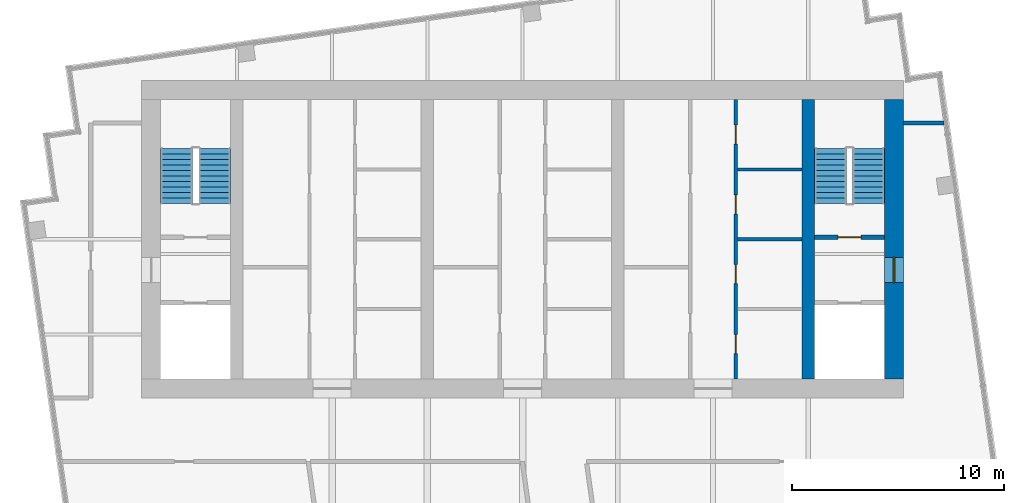
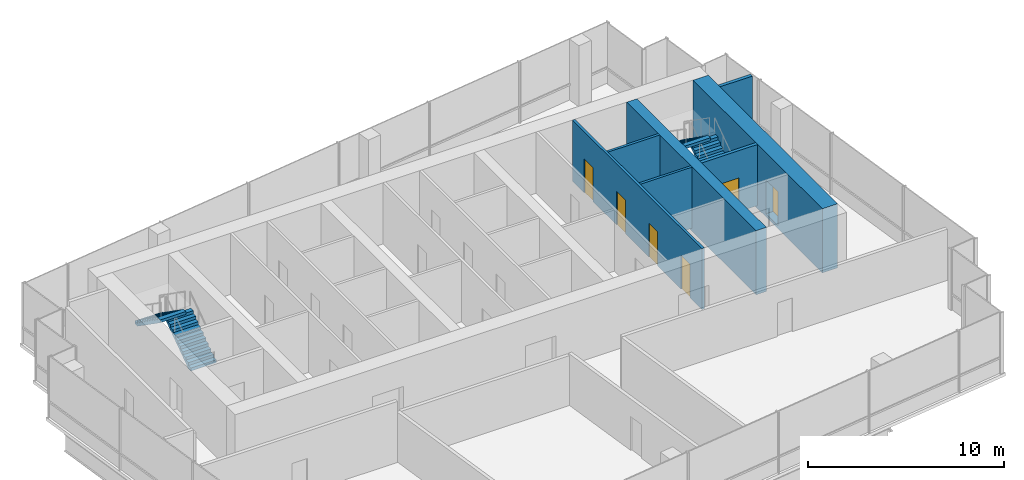
# One storey, part 9 of 10: 7 walls, 6 doors, 4 stair flights, 6 openings, 2 elements without a shape of their own.
"""IFC4 building model written with IfcOpenShell, lengths in metres."""

from ifc_helpers import new_model, si_unit, direction, frame, frame_2d, origin, place, context, subcontext, project, spatial, polyline, rectangle, outline, extrude, material, layer, layer_set, type_object, element, fill, aggregate, save


model = new_model("IFC4")

# Units and contexts
model_context = context("Model", 3, precision=1e-05, world=origin(), true_north=direction((0.0, 1.0)))
body_context = subcontext(model_context, "Body", "Model", "MODEL_VIEW")
ifc_project = project(units=[si_unit("LENGTHUNIT", "METRE"), si_unit("AREAUNIT", "SQUARE_METRE"), si_unit("VOLUMEUNIT", "CUBIC_METRE"), si_unit("PLANEANGLEUNIT", "RADIAN"), si_unit("MASSUNIT", "GRAM", prefix="KILO")], contexts=[model_context])

# Site, building, storey
site_placement = place(None, origin())
site = spatial("IfcSite", under=ifc_project, at=site_placement, CompositionType="ELEMENT")
building_placement = place(site_placement, origin())
building = spatial("IfcBuilding", under=site, at=building_placement, Name="Rattan Terrace Tower", CompositionType="ELEMENT")
storey_placement = place(building_placement, frame((0.0, 0.0, 300.300048828125)))
storey = spatial("IfcBuildingStorey", under=building, at=storey_placement, Name="C03", CompositionType="ELEMENT", Elevation=300.300048828125)

# Wall, openings, doors
ifc_material_1 = material(Name="Gypsum board partition")
ifc_layer_1 = layer(ifc_material_1, 0.14990234375)
ifc_layer_set_1 = layer_set([ifc_layer_1], Name="Core partition 150")
wall_type_1 = type_object("IfcWallType", Name="Core partition 150", PredefinedType="PARTITIONING", material=ifc_layer_set_1)
wall_1_placement = place(storey_placement, frame((10.074951171875, -6.60009765625, 0.0), z_axis=(0.0, 0.0, 1.0), x_axis=(0.0, 1.0, 0.0)))
wall_1 = element("IfcWall", 1, at=wall_1_placement, inside=storey, type_object=wall_type_1, Name="Core room wall", PredefinedType="PARTITIONING", context=body_context, shape_type="SweptSolid", body=[
    extrude(rectangle(XDim=13.2001953125, YDim=0.14990234375, at=frame_2d((6.60009765625, 0.0))), origin(), (0.0, 0.0, 1.0), 3.800048828125),
])
opening_1_placement = place(wall_1_placement, frame((1.199951171875, 0.0, 0.0)))
opening_1 = element("IfcOpeningElement", 2, at=opening_1_placement, cuts=wall_1, Name="Opening C03-D021", PredefinedType="OPENING", context=body_context, shape_type="SweptSolid", body=[
    extrude(rectangle(XDim=0.89990234375, YDim=2.10009765625, at=frame_2d((0.449951171875, 1.050048828125))), frame((0.0, 0.08544921875, 0.0), z_axis=(0.0, -1.0, 0.0), x_axis=(1.0, 0.0, 0.0)), (0.0, 0.0, 1.0), 0.1708984375),
])
opening_2_placement = place(wall_1_placement, frame((4.5, 0.0, 0.0)))
opening_2 = element("IfcOpeningElement", 3, at=opening_2_placement, cuts=wall_1, Name="Opening C03-D022", PredefinedType="OPENING", context=body_context, shape_type="SweptSolid", body=[
    extrude(rectangle(XDim=0.89990234375, YDim=2.10009765625, at=frame_2d((0.449951171875, 1.050048828125))), frame((0.0, 0.08544921875, 0.0), z_axis=(0.0, -1.0, 0.0), x_axis=(1.0, 0.0, 0.0)), (0.0, 0.0, 1.0), 0.1708984375),
])
opening_3_placement = place(wall_1_placement, frame((7.800048828125, 0.0, 0.0)))
opening_3 = element("IfcOpeningElement", 4, at=opening_3_placement, cuts=wall_1, Name="Opening C03-D023", PredefinedType="OPENING", context=body_context, shape_type="SweptSolid", body=[
    extrude(rectangle(XDim=0.89990234375, YDim=2.10009765625, at=frame_2d((0.449951171875, 1.050048828125))), frame((0.0, 0.08544921875, 0.0), z_axis=(0.0, -1.0, 0.0), x_axis=(1.0, 0.0, 0.0)), (0.0, 0.0, 1.0), 0.1708984375),
])
opening_4_placement = place(wall_1_placement, frame((11.10009765625, 0.0, 0.0)))
opening_4 = element("IfcOpeningElement", 5, at=opening_4_placement, cuts=wall_1, Name="Opening C03-D024", PredefinedType="OPENING", context=body_context, shape_type="SweptSolid", body=[
    extrude(rectangle(XDim=0.89990234375, YDim=2.10009765625, at=frame_2d((0.449951171875, 1.050048828125))), frame((0.0, 0.08544921875, 0.0), z_axis=(0.0, -1.0, 0.0), x_axis=(1.0, 0.0, 0.0)), (0.0, 0.0, 1.0), 0.1708984375),
])
ifc_material_2 = material(Name="Hollow-metal fire door leaf")
door_type_1 = type_object("IfcDoorType", Name="Core service room door 900", OperationType="NOTDEFINED", PredefinedType="DOOR", material=ifc_material_2)
door_1_placement = place(opening_1_placement, origin())
door_1 = element("IfcDoor", 6, at=door_1_placement, inside=storey, type_object=door_type_1, Name="Door C03-D021", OperationType="SINGLE_SWING_LEFT", OverallHeight=2.10009765625, OverallWidth=0.89990234375, PredefinedType="DOOR", context=body_context, shape_type="SweptSolid", body=[
    extrude(rectangle(XDim=0.89990234375, YDim=2.10009765625, at=frame_2d((0.449951171875, 1.050048828125))), frame((0.0, 0.02490234375, 0.0), z_axis=(0.0, -1.0, 0.0), x_axis=(1.0, 0.0, 0.0)), (0.0, 0.0, 1.0), 0.050048828125),
])
fill(opening_1, door_1)
door_2_placement = place(opening_2_placement, origin())
door_2 = element("IfcDoor", 7, at=door_2_placement, inside=storey, type_object=door_type_1, Name="Door C03-D022", OperationType="SINGLE_SWING_RIGHT", OverallHeight=2.10009765625, OverallWidth=0.89990234375, PredefinedType="DOOR", context=body_context, shape_type="SweptSolid", body=[
    extrude(rectangle(XDim=0.89990234375, YDim=2.10009765625, at=frame_2d((0.449951171875, 1.050048828125))), frame((0.0, 0.02490234375, 0.0), z_axis=(0.0, -1.0, 0.0), x_axis=(1.0, 0.0, 0.0)), (0.0, 0.0, 1.0), 0.050048828125),
])
fill(opening_2, door_2)
door_3_placement = place(opening_3_placement, origin())
door_3 = element("IfcDoor", 8, at=door_3_placement, inside=storey, type_object=door_type_1, Name="Door C03-D023", OperationType="SINGLE_SWING_LEFT", OverallHeight=2.10009765625, OverallWidth=0.89990234375, PredefinedType="DOOR", context=body_context, shape_type="SweptSolid", body=[
    extrude(rectangle(XDim=0.89990234375, YDim=2.10009765625, at=frame_2d((0.449951171875, 1.050048828125))), frame((0.0, 0.02490234375, 0.0), z_axis=(0.0, -1.0, 0.0), x_axis=(1.0, 0.0, 0.0)), (0.0, 0.0, 1.0), 0.050048828125),
])
fill(opening_3, door_3)
door_4_placement = place(opening_4_placement, origin())
door_4 = element("IfcDoor", 9, at=door_4_placement, inside=storey, type_object=door_type_1, Name="Door C03-D024", OperationType="SINGLE_SWING_RIGHT", OverallHeight=2.10009765625, OverallWidth=0.89990234375, PredefinedType="DOOR", context=body_context, shape_type="SweptSolid", body=[
    extrude(rectangle(XDim=0.89990234375, YDim=2.10009765625, at=frame_2d((0.449951171875, 1.050048828125))), frame((0.0, 0.02490234375, 0.0), z_axis=(0.0, -1.0, 0.0), x_axis=(1.0, 0.0, 0.0)), (0.0, 0.0, 1.0), 0.050048828125),
])
fill(opening_4, door_4)

# Walls
for number, where, z_axis, x_axis, name in (
    (10, (10.14990234375, 0.0, 0.0), (0.0, 0.0, 1.0), (1.0, 0.0, 0.0), "Core room wall"),
    (11, (10.14990234375, 3.300048828125, 0.0), (0.0, 0.0, 1.0), (1.0, 0.0, 0.0), "Core room wall"),
):
    element("IfcWall", number, at=place(storey_placement, frame(where, z_axis=z_axis, x_axis=x_axis)), inside=storey, type_object=wall_type_1, Name=name, PredefinedType="PARTITIONING", context=body_context, shape_type="SweptSolid", body=[
        extrude(rectangle(XDim=3.050048828125, YDim=0.14990234375, at=frame_2d((1.52490234375, 0.0))), origin(), (0.0, 0.0, 1.0), 3.800048828125),
    ])

# Wall, opening, door
ifc_material_3 = material(Name="Gypsum board partition")
ifc_layer_2 = layer(ifc_material_3, 0.199951171875)
ifc_layer_set_2 = layer_set([ifc_layer_2], Name="Core partition 200")
wall_type_2 = type_object("IfcWallType", Name="Core partition 200", PredefinedType="PARTITIONING", material=ifc_layer_set_2)
wall_2_placement = place(storey_placement, frame((13.800048828125, 0.10009765625, 0.0), z_axis=(0.0, 0.0, 1.0), x_axis=(1.0, 0.0, 0.0)))
wall_2 = element("IfcWall", 12, at=wall_2_placement, inside=storey, type_object=wall_type_2, Name="Stair enclosure wall", PredefinedType="PARTITIONING", context=body_context, shape_type="SweptSolid", body=[
    extrude(rectangle(XDim=3.300048828125, YDim=0.199951171875, at=frame_2d((1.64990234375, 0.0))), origin(), (0.0, 0.0, 1.0), 3.800048828125),
])
opening_5_placement = place(wall_2_placement, frame((1.10009765625, 0.0, 0.0)))
opening_5 = element("IfcOpeningElement", 13, at=opening_5_placement, cuts=wall_2, Name="Opening C03-D004", PredefinedType="OPENING", context=body_context, shape_type="SweptSolid", body=[
    extrude(rectangle(XDim=1.10009765625, YDim=2.10009765625, at=frame_2d((0.550048828125, 1.050048828125))), frame((0.0, 0.110595703125, 0.0), z_axis=(0.0, -1.0, 0.0), x_axis=(1.0, 0.0, 0.0)), (0.0, 0.0, 1.0), 0.220947265625),
])
ifc_material_4 = material(Name="Hollow-metal fire door leaf")
door_type_2 = type_object("IfcDoorType", Name="Core stair door 1100", OperationType="NOTDEFINED", PredefinedType="DOOR", material=ifc_material_4)
door_5_placement = place(opening_5_placement, origin())
door_5 = element("IfcDoor", 14, at=door_5_placement, inside=storey, type_object=door_type_2, Name="Door C03-D004", OperationType="SINGLE_SWING_RIGHT", OverallHeight=2.10009765625, OverallWidth=1.10009765625, PredefinedType="DOOR", context=body_context, shape_type="SweptSolid", body=[
    extrude(rectangle(XDim=1.10009765625, YDim=2.10009765625, at=frame_2d((0.550048828125, 1.050048828125))), frame((0.0, 0.02490234375, 0.0), z_axis=(0.0, -1.0, 0.0), x_axis=(1.0, 0.0, 0.0)), (0.0, 0.0, 1.0), 0.050048828125),
])
fill(opening_5, door_5)

ifc_material_5 = material(Name="Concrete C50/60", Category="concrete")
ifc_layer_3 = layer(ifc_material_5, 0.89990234375)
ifc_layer_set_3 = layer_set([ifc_layer_3], Name="Core ring wall 900 C50/60")
wall_type_3 = type_object("IfcWallType", Name="Core ring wall 900 C50/60", PredefinedType="SHEAR", material=ifc_layer_set_3)
wall_3_placement = place(storey_placement, frame((17.550048828125, -6.60009765625, -0.199951171875), z_axis=(0.0, 0.0, 1.0), x_axis=(0.0, 1.0, 0.0)))
wall_3 = element("IfcWall", 15, at=wall_3_placement, inside=storey, type_object=wall_type_3, Name="Rear core wall east", PredefinedType="SHEAR", context=body_context, shape_type="SweptSolid", body=[
    extrude(rectangle(XDim=13.2001953125, YDim=0.89990234375, at=frame_2d((6.60009765625, 0.0))), origin(), (0.0, 0.0, 1.0), 4.0),
])
opening_6_placement = place(wall_3_placement, frame((4.550048828125, 0.0, 0.199951171875)))
opening_6 = element("IfcOpeningElement", 16, at=opening_6_placement, cuts=wall_3, Name="Opening C03-D003", PredefinedType="OPENING", context=body_context, shape_type="SweptSolid", body=[
    extrude(rectangle(XDim=1.199951171875, YDim=2.10009765625, at=frame_2d((0.60009765625, 1.050048828125))), frame((0.0, 0.46044921875, 0.0), z_axis=(0.0, -1.0, 0.0), x_axis=(1.0, 0.0, 0.0)), (0.0, 0.0, 1.0), 0.9208984375),
])
ifc_material_6 = material(Name="Hollow-metal fire door leaf")
door_type_3 = type_object("IfcDoorType", Name="Core fire-fighting lobby door 1200", OperationType="NOTDEFINED", PredefinedType="DOOR", material=ifc_material_6)
door_6_placement = place(opening_6_placement, origin())
door_6 = element("IfcDoor", 17, at=door_6_placement, inside=storey, type_object=door_type_3, Name="Door C03-D003", OperationType="SINGLE_SWING_LEFT", OverallHeight=2.10009765625, OverallWidth=1.199951171875, PredefinedType="DOOR", context=body_context, shape_type="SweptSolid", body=[
    extrude(rectangle(XDim=1.199951171875, YDim=2.10009765625, at=frame_2d((0.60009765625, 1.050048828125))), frame((0.0, 0.02490234375, 0.0), z_axis=(0.0, -1.0, 0.0), x_axis=(1.0, 0.0, 0.0)), (0.0, 0.0, 1.0), 0.050048828125),
])
fill(opening_6, door_6)

# Walls
ifc_material_7 = material(Name="Concrete C50/60", Category="concrete")
ifc_layer_4 = layer(ifc_material_7, 0.60009765625)
ifc_layer_set_4 = layer_set([ifc_layer_4], Name="Core spine wall 600 C50/60")
wall_type_4 = type_object("IfcWallType", Name="Core spine wall 600 C50/60", PredefinedType="SHEAR", material=ifc_layer_set_4)
wall_4_placement = place(storey_placement, frame((13.5, -6.60009765625, -0.199951171875), z_axis=(0.0, 0.0, 1.0), x_axis=(0.0, 1.0, 0.0)))
element("IfcWall", 18, at=wall_4_placement, inside=storey, type_object=wall_type_4, Name="Core spine wall 4", PredefinedType="SHEAR", context=body_context, shape_type="SweptSolid", body=[
    extrude(rectangle(XDim=13.2001953125, YDim=0.60009765625, at=frame_2d((6.60009765625, 0.0))), origin(), (0.0, 0.0, 1.0), 4.0),
])
ifc_material_8 = material(Name="Concrete block wall, plastered", Category="concrete")
ifc_layer_5 = layer(ifc_material_8, 0.199951171875)
ifc_layer_set_5 = layer_set([ifc_layer_5], Name="Floors Plant Wall 200")
wall_type_5 = type_object("IfcWallType", Name="Floors Plant Wall 200", PredefinedType="PARTITIONING", material=ifc_layer_set_5)
wall_5_placement = place(storey_placement, frame((18.0, 5.5, 0.0), z_axis=(0.0, 0.0, 1.0), x_axis=(1.0, 0.0, 0.0)))
element("IfcWall", 19, at=wall_5_placement, inside=storey, type_object=wall_type_5, Name="pt-C03-009", PredefinedType="PARTITIONING", context=body_context, shape_type="SweptSolid", body=[
    extrude(rectangle(XDim=1.906982421875, YDim=0.199951171875, at=frame_2d((0.95361328125, 0.0))), origin(), (0.0, 0.0, 1.0), 3.800048828125),
])

# Stair, stair flights
ifc_material_9 = material(Name="Concrete C40/50", Category="concrete")
stair_type = type_object("IfcStairType", Name="Core exit stair 1500", PredefinedType="HALF_TURN_STAIR", material=ifc_material_9)
stair_1_placement = place(storey_placement, origin())
stair_1 = element("IfcStair", 20, at=stair_1_placement, inside=storey, type_object=stair_type, Name="C03 exit stair 1", PredefinedType="HALF_TURN_STAIR")
ifc_material_10 = material(Name="Concrete C40/50", Category="concrete")
stair_flight_type = type_object("IfcStairFlightType", Name="Core exit stair flight 1500", PredefinedType="STRAIGHT", material=ifc_material_10)
stair_flight_1_placement = place(storey_placement, frame((-14.550048828125, 1.699951171875, 0.0), z_axis=(0.0, 0.0, 1.0), x_axis=(0.0, 1.0, 0.0)))
stair_flight_1 = element("IfcStairFlight", 21, at=stair_flight_1_placement, type_object=stair_flight_type, Name="S1 flight 1", NumberOfRisers=11, NumberOfTreads=10, PredefinedType="STRAIGHT", RiserHeight=0.181818182, TreadLength=0.26, context=body_context, shape_type="SweptSolid", body=[
    extrude(outline(polyline([(0.0, 0.0), (0.0, 0.181884765625), (0.260009765625, 0.181884765625), (0.260009765625, 0.363525390625), (0.52001953125, 0.363525390625), (0.52001953125, 0.54541015625), (0.780029296875, 0.54541015625), (0.780029296875, 0.727294921875), (1.0400390625, 0.727294921875), (1.0400390625, 0.9091796875), (1.300048828125, 0.9091796875), (1.300048828125, 1.0908203125), (1.56005859375, 1.0908203125), (1.56005859375, 1.272705078125), (1.820068359375, 1.272705078125), (1.820068359375, 1.45458984375), (2.080078125, 1.45458984375), (2.080078125, 1.636474609375), (2.340087890625, 1.636474609375), (2.340087890625, 1.818115234375), (2.60009765625, 1.818115234375), (2.60009765625, 2.0), (2.60009765625, 1.63525390625), (0.261474609375, 0.0), (0.0, 0.0)])), frame((0.0, 0.75, 0.0), z_axis=(0.0, -1.0, 0.0), x_axis=(1.0, 0.0, 0.0)), (0.0, 0.0, 1.0), 1.5),
])
stair_flight_2_placement = place(storey_placement, frame((-16.35009765625, 4.300048828125, 2.0), z_axis=(0.0, 0.0, 1.0), x_axis=(0.0, -1.0, 0.0)))
stair_flight_2 = element("IfcStairFlight", 22, at=stair_flight_2_placement, type_object=stair_flight_type, Name="S1 flight 2", NumberOfRisers=11, NumberOfTreads=10, PredefinedType="STRAIGHT", RiserHeight=0.181818182, TreadLength=0.26, context=body_context, shape_type="SweptSolid", body=[
    extrude(outline(polyline([(0.0, 0.0), (0.0, 0.181884765625), (0.260009765625, 0.181884765625), (0.260009765625, 0.363525390625), (0.52001953125, 0.363525390625), (0.52001953125, 0.54541015625), (0.780029296875, 0.54541015625), (0.780029296875, 0.727294921875), (1.0400390625, 0.727294921875), (1.0400390625, 0.9091796875), (1.300048828125, 0.9091796875), (1.300048828125, 1.0908203125), (1.56005859375, 1.0908203125), (1.56005859375, 1.272705078125), (1.820068359375, 1.272705078125), (1.820068359375, 1.45458984375), (2.080078125, 1.45458984375), (2.080078125, 1.636474609375), (2.340087890625, 1.636474609375), (2.340087890625, 1.818115234375), (2.60009765625, 1.818115234375), (2.60009765625, 2.0), (2.60009765625, 1.63525390625), (0.261474609375, 0.0), (0.0, 0.0)])), frame((0.0, 0.75, 0.0), z_axis=(0.0, -1.0, 0.0), x_axis=(1.0, 0.0, 0.0)), (0.0, 0.0, 1.0), 1.5),
])
aggregate(stair_1, [stair_flight_1, stair_flight_2])

stair_2_placement = place(storey_placement, origin())
stair_2 = element("IfcStair", 23, at=stair_2_placement, inside=storey, type_object=stair_type, Name="C03 exit stair 2", PredefinedType="HALF_TURN_STAIR")
stair_flight_3_placement = place(storey_placement, frame((16.35009765625, 1.699951171875, 0.0), z_axis=(0.0, 0.0, 1.0), x_axis=(0.0, 1.0, 0.0)))
stair_flight_3 = element("IfcStairFlight", 24, at=stair_flight_3_placement, type_object=stair_flight_type, Name="S2 flight 1", NumberOfRisers=11, NumberOfTreads=10, PredefinedType="STRAIGHT", RiserHeight=0.181818182, TreadLength=0.26, context=body_context, shape_type="SweptSolid", body=[
    extrude(outline(polyline([(0.0, 0.0), (0.0, 0.181884765625), (0.260009765625, 0.181884765625), (0.260009765625, 0.363525390625), (0.52001953125, 0.363525390625), (0.52001953125, 0.54541015625), (0.780029296875, 0.54541015625), (0.780029296875, 0.727294921875), (1.0400390625, 0.727294921875), (1.0400390625, 0.9091796875), (1.300048828125, 0.9091796875), (1.300048828125, 1.0908203125), (1.56005859375, 1.0908203125), (1.56005859375, 1.272705078125), (1.820068359375, 1.272705078125), (1.820068359375, 1.45458984375), (2.080078125, 1.45458984375), (2.080078125, 1.636474609375), (2.340087890625, 1.636474609375), (2.340087890625, 1.818115234375), (2.60009765625, 1.818115234375), (2.60009765625, 2.0), (2.60009765625, 1.63525390625), (0.261474609375, 0.0), (0.0, 0.0)])), frame((0.0, 0.75, 0.0), z_axis=(0.0, -1.0, 0.0), x_axis=(1.0, 0.0, 0.0)), (0.0, 0.0, 1.0), 1.5),
])
stair_flight_4_placement = place(storey_placement, frame((14.550048828125, 4.300048828125, 2.0), z_axis=(0.0, 0.0, 1.0), x_axis=(0.0, -1.0, 0.0)))
stair_flight_4 = element("IfcStairFlight", 25, at=stair_flight_4_placement, type_object=stair_flight_type, Name="S2 flight 2", NumberOfRisers=11, NumberOfTreads=10, PredefinedType="STRAIGHT", RiserHeight=0.181818182, TreadLength=0.26, context=body_context, shape_type="SweptSolid", body=[
    extrude(outline(polyline([(0.0, 0.0), (0.0, 0.181884765625), (0.260009765625, 0.181884765625), (0.260009765625, 0.363525390625), (0.52001953125, 0.363525390625), (0.52001953125, 0.54541015625), (0.780029296875, 0.54541015625), (0.780029296875, 0.727294921875), (1.0400390625, 0.727294921875), (1.0400390625, 0.9091796875), (1.300048828125, 0.9091796875), (1.300048828125, 1.0908203125), (1.56005859375, 1.0908203125), (1.56005859375, 1.272705078125), (1.820068359375, 1.272705078125), (1.820068359375, 1.45458984375), (2.080078125, 1.45458984375), (2.080078125, 1.636474609375), (2.340087890625, 1.636474609375), (2.340087890625, 1.818115234375), (2.60009765625, 1.818115234375), (2.60009765625, 2.0), (2.60009765625, 1.63525390625), (0.261474609375, 0.0), (0.0, 0.0)])), frame((0.0, 0.75, 0.0), z_axis=(0.0, -1.0, 0.0), x_axis=(1.0, 0.0, 0.0)), (0.0, 0.0, 1.0), 1.5),
])
aggregate(stair_2, [stair_flight_3, stair_flight_4])

save(model, "model.ifc")
